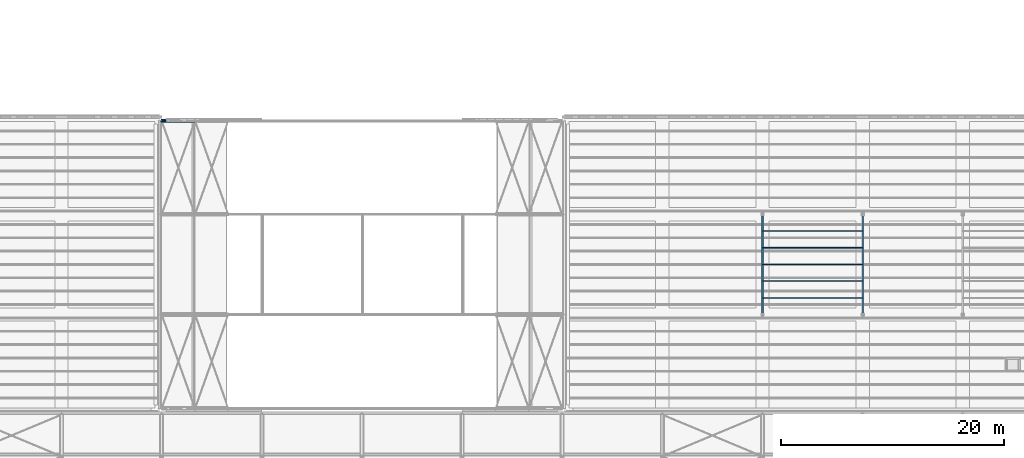
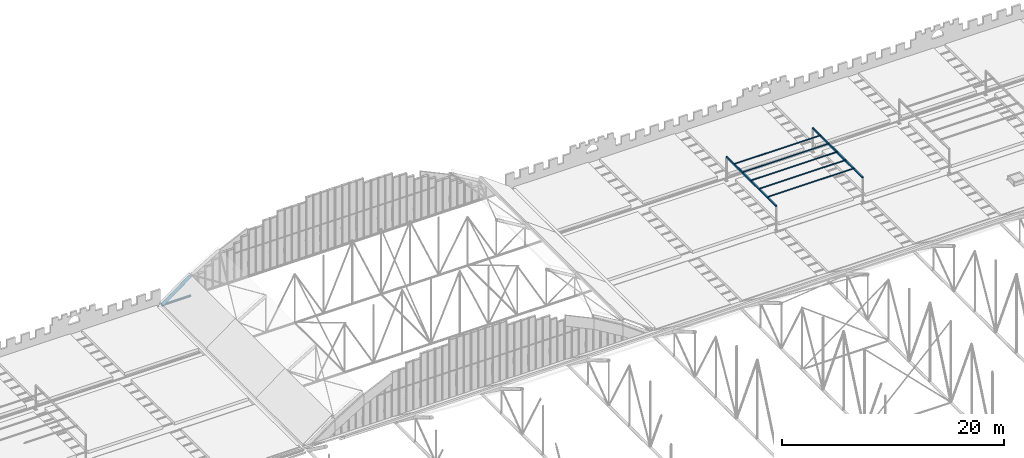
# One storey, part 78 of 153: 7 members, 2 beams.
"""IFC4 building model written with IfcOpenShell, lengths in metres."""

from ifc_helpers import new_model, si_unit, direction, frame, origin, origin_2d, place, context, subcontext, project, spatial, hollow_rectangle, hollow_circle, extrude, material, material_profile, profile_set, type_object, element, save


model = new_model("IFC4")

# Units and contexts
model_context = context("Model", 3, precision=1e-05, world=origin(), true_north=direction((0.0, 1.0)))
body_context = subcontext(model_context, "Body", "Model", "MODEL_VIEW")
ifc_project = project(units=[si_unit("LENGTHUNIT", "METRE"), si_unit("AREAUNIT", "SQUARE_METRE"), si_unit("VOLUMEUNIT", "CUBIC_METRE"), si_unit("PLANEANGLEUNIT", "RADIAN"), si_unit("MASSUNIT", "GRAM", prefix="KILO")], contexts=[model_context])

# Site, building, storey
site_placement = place(None, origin())
site = spatial("IfcSite", under=ifc_project, at=site_placement, CompositionType="ELEMENT")
building_placement = place(site_placement, origin())
building = spatial("IfcBuilding", under=site, at=building_placement, Name="Baradari Gate Terminus", CompositionType="ELEMENT")
storey_placement = place(building_placement, frame((0.0, 0.0, 11.699951171875)))
storey = spatial("IfcBuildingStorey", under=building, at=storey_placement, Name="L02", CompositionType="ELEMENT", Elevation=11.699951171875)

# Members
ifc_material_1 = material(Name="Steel S355", Category="steel")
ifc_material_profile_1 = material_profile(ifc_material_1, hollow_circle(Radius=0.122314453125, WallThickness=0.010009765625, at=origin_2d()), Name="CHS 244.5x10")
ifc_profile_set_1 = profile_set([ifc_material_profile_1], Name="Steel S355")
member_type_1 = type_object("IfcMemberType", Name="Hall vault tie CHS 244.5x10", PredefinedType="CHORD", material=ifc_profile_set_1)
member_1_placement = place(storey_placement, frame((135.0, 107.39990234375, 0.122314453125), z_axis=(1.0, 0.0, 0.0), x_axis=(0.0, 1.0, 0.0)))
element("IfcMember", 1, at=member_1_placement, inside=storey, type_object=member_type_1, Name="TR/L02/VT4-BC00", PredefinedType="CHORD", context=body_context, shape_type="SweptSolid", body=[
    extrude(hollow_circle(Radius=0.122314453125, WallThickness=0.010009765625, at=origin_2d()), origin(), (0.0, 0.0, 1.0), 3.0),
])
ifc_material_2 = material(Name="Steel S355", Category="steel")
ifc_material_profile_2 = material_profile(ifc_material_2, hollow_circle(Radius=0.161865234375, WallThickness=0.012451171875, at=origin_2d()), Name="CHS 323.9x12.5")
ifc_profile_set_2 = profile_set([ifc_material_profile_2], Name="Steel S355")
member_type_2 = type_object("IfcMemberType", Name="Hall vault top chord CHS 323.9x12.5", PredefinedType="CHORD", material=ifc_profile_set_2)
member_2_placement = place(storey_placement, frame((135.0, 107.39990234375, 0.122314453125), z_axis=(0.80641125493, 0.0, 0.591355128432), x_axis=(0.0, 1.0, 0.0)))
element("IfcMember", 2, at=member_2_placement, inside=storey, type_object=member_type_2, Name="TR/L02/VT4-TC00", PredefinedType="CHORD", context=body_context, shape_type="SweptSolid", body=[
    extrude(hollow_circle(Radius=0.161865234375, WallThickness=0.012451171875, at=origin_2d()), origin(), (0.0, 0.0, 1.0), 3.72021484375),
])

# Beams
ifc_material_3 = material(Name="Steel S355", Category="steel")
ifc_material_profile_3 = material_profile(ifc_material_3, hollow_rectangle(XDim=0.14990234375, YDim=0.14990234375, WallThickness=0.00634765625, InnerFilletRadius=0.00634765625, OuterFilletRadius=0.0126953125, at=origin_2d()), Name="SHS 150x150x6.3")
ifc_profile_set_3 = profile_set([ifc_material_profile_3], Name="Steel S355")
beam_type = type_object("IfcBeamType", Name="Pergola beam SHS 150x150x6.3", PredefinedType="BEAM", material=ifc_profile_set_3)
for number, where, z_axis, x_axis, name in (
    (3, (189.0, 90.0, 2.675048828125), (0.0, 1.0, 0.0), (-1.0, 0.0, 0.0), "RF/L02/PGE1-PGB1"),
    (4, (198.0, 90.0, 2.675048828125), (0.0, 1.0, 0.0), (-1.0, 0.0, 0.0), "RF/L02/PGE1-PGB2"),
):
    element("IfcBeam", number, at=place(storey_placement, frame(where, z_axis=z_axis, x_axis=x_axis)), inside=storey, type_object=beam_type, Name=name, PredefinedType="BEAM", context=body_context, shape_type="SweptSolid", body=[
        extrude(hollow_rectangle(XDim=0.14990234375, YDim=0.14990234375, WallThickness=0.00634765625, InnerFilletRadius=0.00634765625, OuterFilletRadius=0.0126953125, at=origin_2d()), origin(), (0.0, 0.0, 1.0), 9.0),
    ])

# Members
ifc_material_4 = material(Name="Steel S355", Category="steel")
ifc_material_profile_4 = material_profile(ifc_material_4, hollow_rectangle(XDim=0.10009765625, YDim=0.10009765625, WallThickness=0.00634765625, InnerFilletRadius=0.00634765625, OuterFilletRadius=0.0126953125, at=origin_2d()), Name="SHS 100x100x6.3")
ifc_profile_set_4 = profile_set([ifc_material_profile_4], Name="Steel S355")
member_type_3 = type_object("IfcMemberType", Name="Pergola rafter SHS 100x100x6.3", PredefinedType="STRINGER", material=ifc_profile_set_4)
for number, where, z_axis, x_axis, name in (
    (5, (189.0, 91.5, 2.800048828125), (1.0, 0.0, 0.0), (0.0, 1.0, 0.0), "RF/L02/PGE1-PGR1"),
    (6, (189.0, 93.0, 2.800048828125), (1.0, 0.0, 0.0), (0.0, 1.0, 0.0), "RF/L02/PGE1-PGR2"),
    (7, (189.0, 94.5, 2.800048828125), (1.0, 0.0, 0.0), (0.0, 1.0, 0.0), "RF/L02/PGE1-PGR3"),
    (8, (189.0, 96.0, 2.800048828125), (1.0, 0.0, 0.0), (0.0, 1.0, 0.0), "RF/L02/PGE1-PGR4"),
    (9, (189.0, 97.5, 2.800048828125), (1.0, 0.0, 0.0), (0.0, 1.0, 0.0), "RF/L02/PGE1-PGR5"),
):
    element("IfcMember", number, at=place(storey_placement, frame(where, z_axis=z_axis, x_axis=x_axis)), inside=storey, type_object=member_type_3, Name=name, PredefinedType="STRINGER", context=body_context, shape_type="SweptSolid", body=[
        extrude(hollow_rectangle(XDim=0.10009765625, YDim=0.10009765625, WallThickness=0.00634765625, InnerFilletRadius=0.00634765625, OuterFilletRadius=0.0126953125, at=origin_2d()), origin(), (0.0, 0.0, 1.0), 9.0),
    ])

save(model, "model.ifc")
